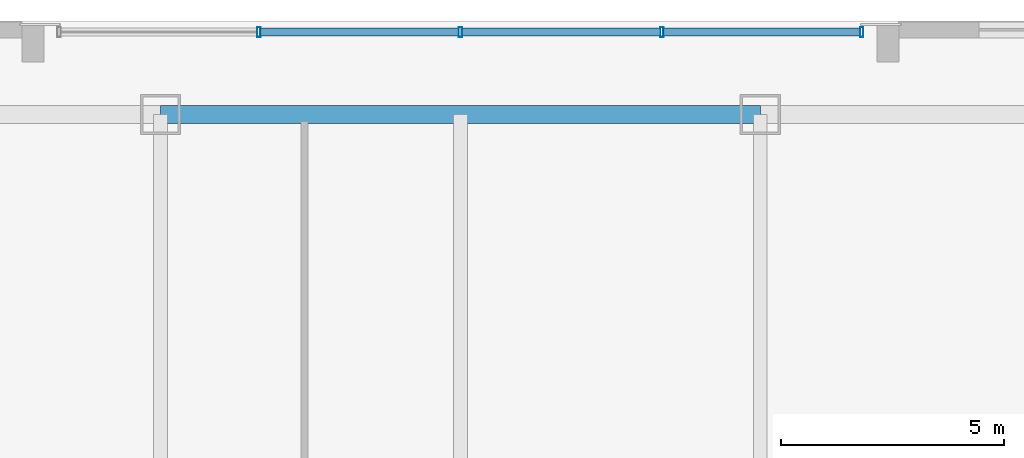
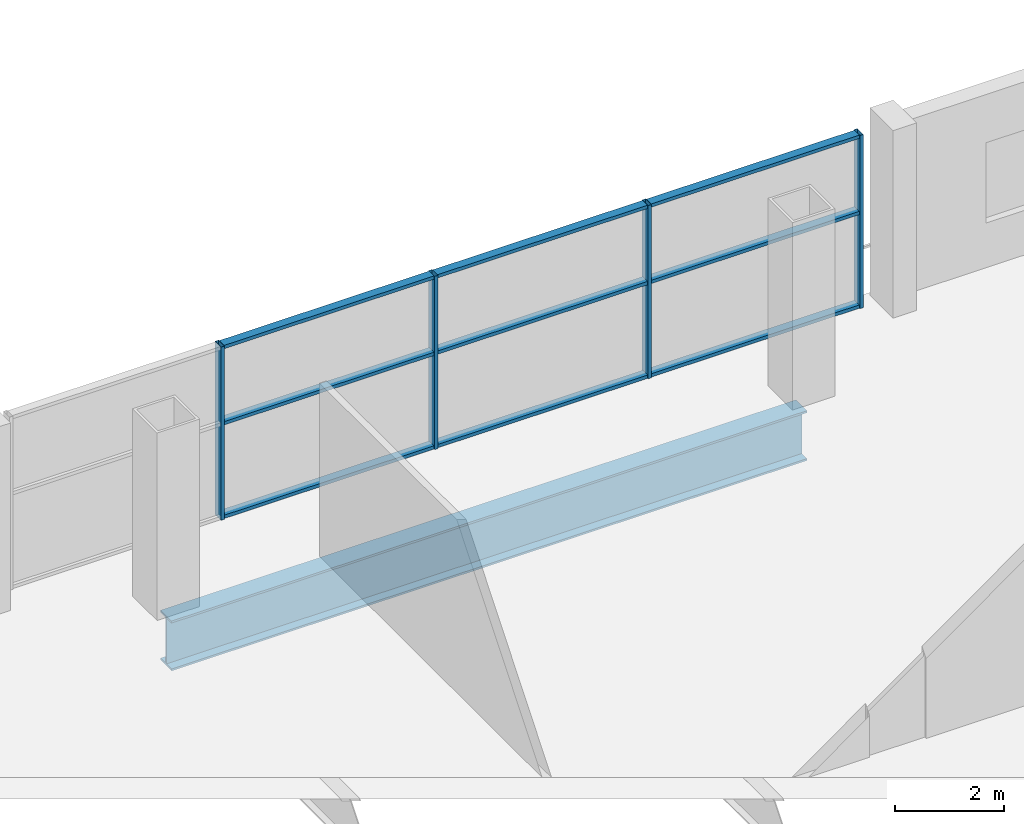
# One storey, part 10 of 21: 13 members, 1 beam, 1 element without a shape of its own.
"""IFC4 building model written with IfcOpenShell, lengths in metres."""

from ifc_helpers import new_model, si_unit, direction, frame, origin, origin_2d, place, context, subcontext, project, spatial, hollow_rectangle, i_section, extrude, material, layer, layer_set, material_profile, profile_set, type_object, element, aggregate, save


model = new_model("IFC4")

# Units and contexts
model_context = context("Model", 3, precision=1e-05, world=origin(), true_north=direction((0.0, 1.0)))
body_context = subcontext(model_context, "Body", "Model", "MODEL_VIEW")
ifc_project = project(units=[si_unit("LENGTHUNIT", "METRE"), si_unit("AREAUNIT", "SQUARE_METRE"), si_unit("VOLUMEUNIT", "CUBIC_METRE"), si_unit("PLANEANGLEUNIT", "RADIAN"), si_unit("MASSUNIT", "GRAM", prefix="KILO")], contexts=[model_context])

# Site, building, storey
site_placement = place(None, origin())
site = spatial("IfcSite", under=ifc_project, at=site_placement, CompositionType="ELEMENT")
building_placement = place(site_placement, origin())
building = spatial("IfcBuilding", under=site, at=building_placement, Name="Qhalaya Broadcast Tower", CompositionType="ELEMENT")
storey_placement = place(building_placement, frame((0.0, 0.0, 5.10009765625)))
storey = spatial("IfcBuildingStorey", under=building, at=storey_placement, Name="L01", CompositionType="ELEMENT", Elevation=5.10009765625)

# Beam
ifc_material_1 = material(Name="Structural Steel ASTM A992 Grade 50", Category="steel")
ifc_material_profile_1 = material_profile(ifc_material_1, i_section(OverallWidth=0.404052734375, OverallDepth=1.117919921875, WebThickness=0.026123046875, FlangeThickness=0.044921875, at=origin_2d()), Name="W44X335")
ifc_profile_set_1 = profile_set([ifc_material_profile_1], Name="Structural Steel ASTM A992 Grade 50")
beam_type = type_object("IfcBeamType", Name="Podium Long-Span Primary Girder PG1", PredefinedType="USERDEFINED", material=ifc_profile_set_1)
beam_placement = place(storey_placement, frame((6.7333984375, 25.89990234375, -0.879150390625), z_axis=(-1.0, 0.0, 0.0), x_axis=(0.0, -1.0, 0.0)))
element("IfcBeam", 1, at=beam_placement, inside=storey, type_object=beam_type, Name="L01 PG1 L01-PG-R10", ObjectType="GIRDER", PredefinedType="USERDEFINED", context=body_context, shape_type="SweptSolid", body=[
    extrude(i_section(OverallWidth=0.404052734375, OverallDepth=1.117919921875, WebThickness=0.026123046875, FlangeThickness=0.044921875, at=origin_2d()), origin(), (0.0, 0.0, 1.0), 13.466796875),
])

# Curtain wall, members
ifc_material_2 = material(Name="Solar-Control Low-E Triple Glazing", Category="glass")
ifc_layer = layer(ifc_material_2, 0.219970703125, Name="Solar-Control Low-E Triple Glazing")
ifc_layer_set = layer_set([ifc_layer], Name="Solar-Control Low-E Triple Glazing")
curtain_wall_type = type_object("IfcCurtainWallType", Name="Podium Concourse Triple-Height Glazed Portal CW-01", PredefinedType="NOTDEFINED", material=ifc_layer_set)
curtain_wall_placement = place(storey_placement, origin())
curtain_wall = element("IfcCurtainWall", 2, at=curtain_wall_placement, inside=storey, type_object=curtain_wall_type, Name="L01 Unitised Curtain Wall L01-CW01-N", PredefinedType="NOTDEFINED")
ifc_material_3 = material(Name="Anodised Aluminium 6063-T6", Category="aluminium")
ifc_material_profile_2 = material_profile(ifc_material_3, hollow_rectangle(XDim=0.074951171875, YDim=0.219970703125, WallThickness=0.00390625, at=origin_2d()), Name="ALU-MUL 75x220x4")
ifc_profile_set_2 = profile_set([ifc_material_profile_2], Name="Anodised Aluminium 6063-T6")
member_type_1 = type_object("IfcMemberType", Name="Unitised Curtain-Wall Mullion M01", PredefinedType="MULLION", material=ifc_profile_set_2)
member_1_placement = place(storey_placement, frame((9.012451171875, 27.75, 0.0), z_axis=(0.0, 0.0, 1.0), x_axis=(-1.0, 0.0, 0.0)))
member_1 = element("IfcMember", 3, at=member_1_placement, type_object=member_type_1, Name="CW-01 mullion 1", PredefinedType="MULLION", context=body_context, shape_type="SweptSolid", body=[
    extrude(hollow_rectangle(XDim=0.074951171875, YDim=0.219970703125, WallThickness=0.00390625, at=origin_2d()), origin(), (0.0, 0.0, 1.0), 3.8798828125),
])
member_2_placement = place(storey_placement, frame((4.52490234375, 27.75, 0.0), z_axis=(0.0, 0.0, 1.0), x_axis=(-1.0, 0.0, 0.0)))
member_2 = element("IfcMember", 4, at=member_2_placement, type_object=member_type_1, Name="CW-01 mullion 2", PredefinedType="MULLION", context=body_context, shape_type="SweptSolid", body=[
    extrude(hollow_rectangle(XDim=0.074951171875, YDim=0.219970703125, WallThickness=0.00390625, at=origin_2d()), origin(), (0.0, 0.0, 1.0), 3.8798828125),
])
member_3_placement = place(storey_placement, frame((0.0, 27.75, 0.0), z_axis=(0.0, 0.0, 1.0), x_axis=(-1.0, 0.0, 0.0)))
member_3 = element("IfcMember", 5, at=member_3_placement, type_object=member_type_1, Name="CW-01 mullion 3", PredefinedType="MULLION", context=body_context, shape_type="SweptSolid", body=[
    extrude(hollow_rectangle(XDim=0.074951171875, YDim=0.219970703125, WallThickness=0.00390625, at=origin_2d()), origin(), (0.0, 0.0, 1.0), 3.8798828125),
])
member_4_placement = place(storey_placement, frame((-4.52490234375, 27.75, 0.0), z_axis=(0.0, 0.0, 1.0), x_axis=(-1.0, 0.0, 0.0)))
member_4 = element("IfcMember", 6, at=member_4_placement, type_object=member_type_1, Name="CW-01 mullion 4", PredefinedType="MULLION", context=body_context, shape_type="SweptSolid", body=[
    extrude(hollow_rectangle(XDim=0.074951171875, YDim=0.219970703125, WallThickness=0.00390625, at=origin_2d()), origin(), (0.0, 0.0, 1.0), 3.8798828125),
])
ifc_material_profile_3 = material_profile(ifc_material_3, hollow_rectangle(XDim=0.074951171875, YDim=0.179931640625, WallThickness=0.00390625, at=origin_2d()), Name="ALU-TRN 75x180x4")
ifc_profile_set_3 = profile_set([ifc_material_profile_3], Name="Anodised Aluminium 6063-T6")
member_type_2 = type_object("IfcMemberType", Name="Unitised Curtain-Wall Transom T01", PredefinedType="USERDEFINED", material=ifc_profile_set_3)
member_5_placement = place(storey_placement, frame((8.97509765625, 27.75, 0.037353515625), z_axis=(-1.0, 0.0, 0.0), x_axis=(0.0, 0.0, 1.0)))
member_5 = element("IfcMember", 7, at=member_5_placement, type_object=member_type_2, Name="CW-01 transom 1.1", ObjectType="TRANSOM", PredefinedType="USERDEFINED", context=body_context, shape_type="SweptSolid", body=[
    extrude(hollow_rectangle(XDim=0.074951171875, YDim=0.179931640625, WallThickness=0.00390625, at=origin_2d()), origin(), (0.0, 0.0, 1.0), 4.41259765625),
])
member_6_placement = place(storey_placement, frame((8.97509765625, 27.75, 2.1337890625), z_axis=(-1.0, 0.0, 0.0), x_axis=(0.0, 0.0, 1.0)))
member_6 = element("IfcMember", 8, at=member_6_placement, type_object=member_type_2, Name="CW-01 transom 1.2", ObjectType="TRANSOM", PredefinedType="USERDEFINED", context=body_context, shape_type="SweptSolid", body=[
    extrude(hollow_rectangle(XDim=0.074951171875, YDim=0.179931640625, WallThickness=0.00390625, at=origin_2d()), origin(), (0.0, 0.0, 1.0), 4.41259765625),
])
member_7_placement = place(storey_placement, frame((8.97509765625, 27.75, 3.84228515625), z_axis=(-1.0, 0.0, 0.0), x_axis=(0.0, 0.0, 1.0)))
member_7 = element("IfcMember", 9, at=member_7_placement, type_object=member_type_2, Name="CW-01 transom 1.3", ObjectType="TRANSOM", PredefinedType="USERDEFINED", context=body_context, shape_type="SweptSolid", body=[
    extrude(hollow_rectangle(XDim=0.074951171875, YDim=0.179931640625, WallThickness=0.00390625, at=origin_2d()), origin(), (0.0, 0.0, 1.0), 4.41259765625),
])
member_8_placement = place(storey_placement, frame((4.487548828125, 27.75, 0.037353515625), z_axis=(-1.0, 0.0, 0.0), x_axis=(0.0, 0.0, 1.0)))
member_8 = element("IfcMember", 10, at=member_8_placement, type_object=member_type_2, Name="CW-01 transom 2.1", ObjectType="TRANSOM", PredefinedType="USERDEFINED", context=body_context, shape_type="SweptSolid", body=[
    extrude(hollow_rectangle(XDim=0.074951171875, YDim=0.179931640625, WallThickness=0.00390625, at=origin_2d()), origin(), (0.0, 0.0, 1.0), 4.449951171875),
])
member_9_placement = place(storey_placement, frame((4.487548828125, 27.75, 2.1337890625), z_axis=(-1.0, 0.0, 0.0), x_axis=(0.0, 0.0, 1.0)))
member_9 = element("IfcMember", 11, at=member_9_placement, type_object=member_type_2, Name="CW-01 transom 2.2", ObjectType="TRANSOM", PredefinedType="USERDEFINED", context=body_context, shape_type="SweptSolid", body=[
    extrude(hollow_rectangle(XDim=0.074951171875, YDim=0.179931640625, WallThickness=0.00390625, at=origin_2d()), origin(), (0.0, 0.0, 1.0), 4.449951171875),
])
member_10_placement = place(storey_placement, frame((4.487548828125, 27.75, 3.84228515625), z_axis=(-1.0, 0.0, 0.0), x_axis=(0.0, 0.0, 1.0)))
member_10 = element("IfcMember", 12, at=member_10_placement, type_object=member_type_2, Name="CW-01 transom 2.3", ObjectType="TRANSOM", PredefinedType="USERDEFINED", context=body_context, shape_type="SweptSolid", body=[
    extrude(hollow_rectangle(XDim=0.074951171875, YDim=0.179931640625, WallThickness=0.00390625, at=origin_2d()), origin(), (0.0, 0.0, 1.0), 4.449951171875),
])
member_11_placement = place(storey_placement, frame((-0.03759765625, 27.75, 0.037353515625), z_axis=(-1.0, 0.0, 0.0), x_axis=(0.0, 0.0, 1.0)))
member_11 = element("IfcMember", 13, at=member_11_placement, type_object=member_type_2, Name="CW-01 transom 3.1", ObjectType="TRANSOM", PredefinedType="USERDEFINED", context=body_context, shape_type="SweptSolid", body=[
    extrude(hollow_rectangle(XDim=0.074951171875, YDim=0.179931640625, WallThickness=0.00390625, at=origin_2d()), origin(), (0.0, 0.0, 1.0), 4.449951171875),
])
member_12_placement = place(storey_placement, frame((-0.03759765625, 27.75, 2.1337890625), z_axis=(-1.0, 0.0, 0.0), x_axis=(0.0, 0.0, 1.0)))
member_12 = element("IfcMember", 14, at=member_12_placement, type_object=member_type_2, Name="CW-01 transom 3.2", ObjectType="TRANSOM", PredefinedType="USERDEFINED", context=body_context, shape_type="SweptSolid", body=[
    extrude(hollow_rectangle(XDim=0.074951171875, YDim=0.179931640625, WallThickness=0.00390625, at=origin_2d()), origin(), (0.0, 0.0, 1.0), 4.449951171875),
])
member_13_placement = place(storey_placement, frame((-0.03759765625, 27.75, 3.84228515625), z_axis=(-1.0, 0.0, 0.0), x_axis=(0.0, 0.0, 1.0)))
member_13 = element("IfcMember", 15, at=member_13_placement, type_object=member_type_2, Name="CW-01 transom 3.3", ObjectType="TRANSOM", PredefinedType="USERDEFINED", context=body_context, shape_type="SweptSolid", body=[
    extrude(hollow_rectangle(XDim=0.074951171875, YDim=0.179931640625, WallThickness=0.00390625, at=origin_2d()), origin(), (0.0, 0.0, 1.0), 4.449951171875),
])
aggregate(curtain_wall, [member_1, member_2, member_3, member_4, member_5, member_6, member_7, member_8, member_9, member_10, member_11, member_12, member_13])

save(model, "model.ifc")
